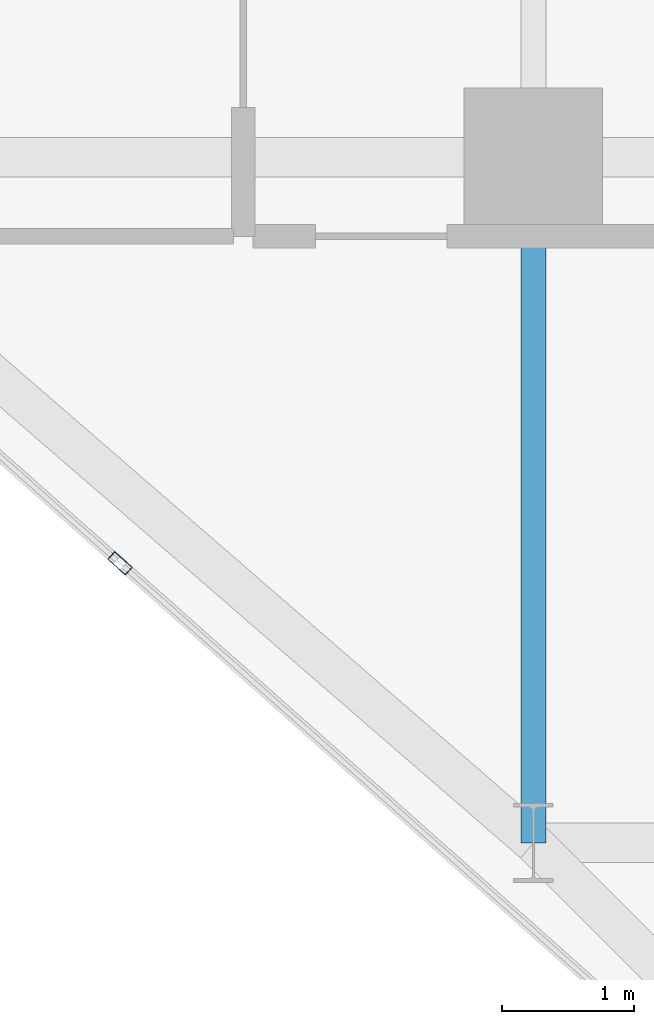
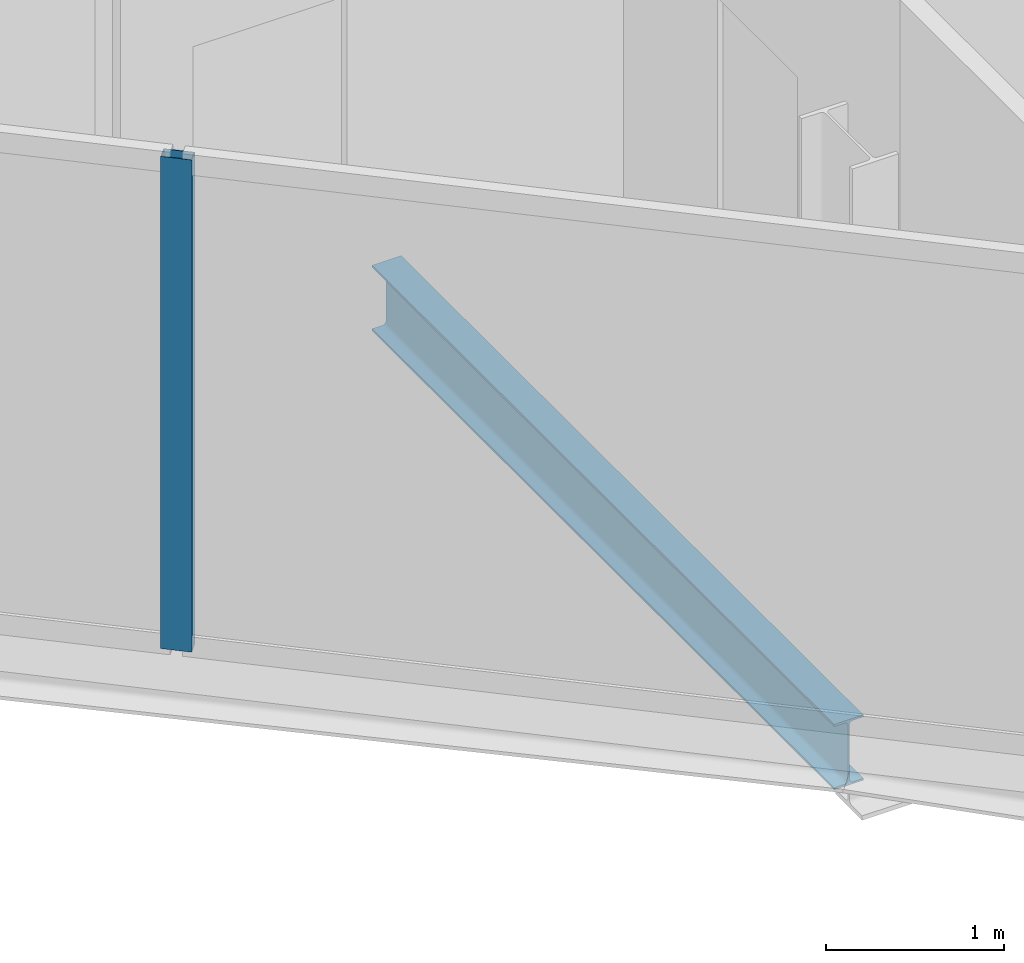
# One storey, part 3 of 30: 1 beam, 1 member, 1 element without a shape of its own.
"""IFC4 building model written with IfcOpenShell, lengths in metres."""

from ifc_helpers import new_model, si_unit, direction, frame, origin, origin_2d, place, context, subcontext, project, spatial, hollow_rectangle, i_section, extrude, material, layer, layer_set, material_profile, profile_set, type_object, element, aggregate, save


model = new_model("IFC4")

# Units and contexts
model_context = context("Model", 3, precision=1e-05, world=origin(), true_north=direction((0.0, 1.0)))
body_context = subcontext(model_context, "Body", "Model", "MODEL_VIEW")
ifc_project = project(units=[si_unit("LENGTHUNIT", "METRE"), si_unit("AREAUNIT", "SQUARE_METRE"), si_unit("VOLUMEUNIT", "CUBIC_METRE"), si_unit("PLANEANGLEUNIT", "RADIAN"), si_unit("MASSUNIT", "GRAM", prefix="KILO")], contexts=[model_context])

# Site, building, storey
site_placement = place(None, origin())
site = spatial("IfcSite", under=ifc_project, at=site_placement, CompositionType="ELEMENT")
building_placement = place(site_placement, origin())
building = spatial("IfcBuilding", under=site, at=building_placement, Name="Keshet Zoharim Tower", CompositionType="ELEMENT")
storey_placement = place(building_placement, frame((0.0, 0.0, 116.800048828125)))
storey = spatial("IfcBuildingStorey", under=building, at=storey_placement, Name="L28", CompositionType="ELEMENT", Elevation=116.800048828125)

# Beam
ifc_material_1 = material(Name="Steel S355", Category="steel")
ifc_material_profile_1 = material_profile(ifc_material_1, i_section(OverallWidth=0.18994140625, OverallDepth=0.449951171875, WebThickness=0.009521484375, FlangeThickness=0.0146484375, FilletRadius=0.02099609375, at=origin_2d()), Name="IPE450")
ifc_profile_set_1 = profile_set([ifc_material_profile_1], Name="Steel S355")
beam_type = type_object("IfcBeamType", Name="BM-PRI-IP450", PredefinedType="BEAM", material=ifc_profile_set_1)
beam_placement = place(storey_placement, frame((15.0, 12.699951171875, -0.5400390625), z_axis=(0.0, 1.0, 0.0), x_axis=(-1.0, 0.0, 0.0)))
element("IfcBeam", 1, at=beam_placement, inside=storey, type_object=beam_type, Name="L28 Primary Girder Y-002", PredefinedType="BEAM", context=body_context, shape_type="SweptSolid", body=[
    extrude(i_section(OverallWidth=0.18994140625, OverallDepth=0.449951171875, WebThickness=0.009521484375, FlangeThickness=0.0146484375, FilletRadius=0.02099609375, at=origin_2d()), origin(), (0.0, 0.0, 1.0), 5.199951171875),
])

# Curtain wall, member
ifc_material_2 = material(Name="Aluminium 6063-T6", Category="aluminium")
ifc_layer = layer(ifc_material_2, 0.159912109375)
ifc_layer_set = layer_set([ifc_layer], Name="Aluminium 6063-T6")
curtain_wall_type = type_object("IfcCurtainWallType", Name="CW-SYS-03", PredefinedType="NOTDEFINED", material=ifc_layer_set)
curtain_wall_placement = place(storey_placement, origin())
curtain_wall = element("IfcCurtainWall", 2, at=curtain_wall_placement, inside=storey, type_object=curtain_wall_type, Name="L28 Unitised Curtain Wall 07 Part 2", PredefinedType="NOTDEFINED")
ifc_material_profile_2 = material_profile(ifc_material_2, hollow_rectangle(XDim=0.080078125, YDim=0.179931640625, WallThickness=0.00439453125, at=origin_2d()), Name="MUL-80x180")
ifc_profile_set_2 = profile_set([ifc_material_profile_2], Name="Aluminium 6063-T6")
member_type = type_object("IfcMemberType", Name="CWM-M18", PredefinedType="MULLION", material=ifc_profile_set_2)
member_placement = place(storey_placement, frame((11.864990234375, 14.81982421875, 0.0), z_axis=(0.0, 0.0, 1.0), x_axis=(-0.664364431302, -0.747408792041, 0.0)))
member = element("IfcMember", 3, at=member_placement, type_object=member_type, Name="CW-03 mullion 2", PredefinedType="MULLION", context=body_context, shape_type="SweptSolid", body=[
    extrude(hollow_rectangle(XDim=0.080078125, YDim=0.179931640625, WallThickness=0.00439453125, at=origin_2d()), origin(), (0.0, 0.0, 1.0), 3.3798828125),
])
aggregate(curtain_wall, [member])

save(model, "model.ifc")
